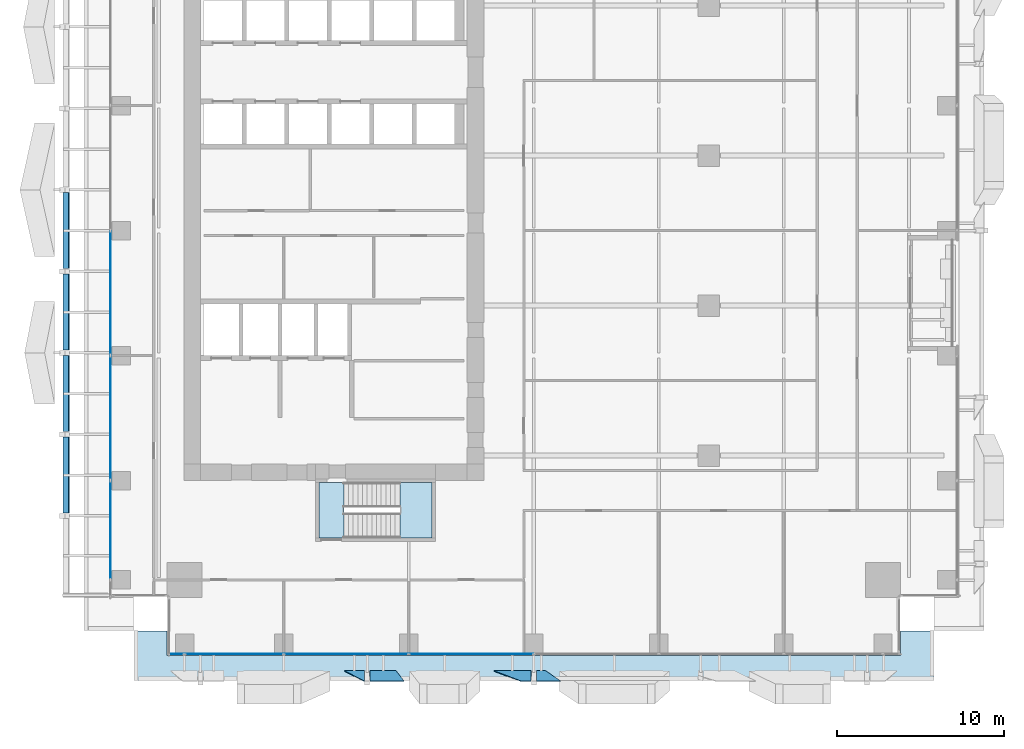
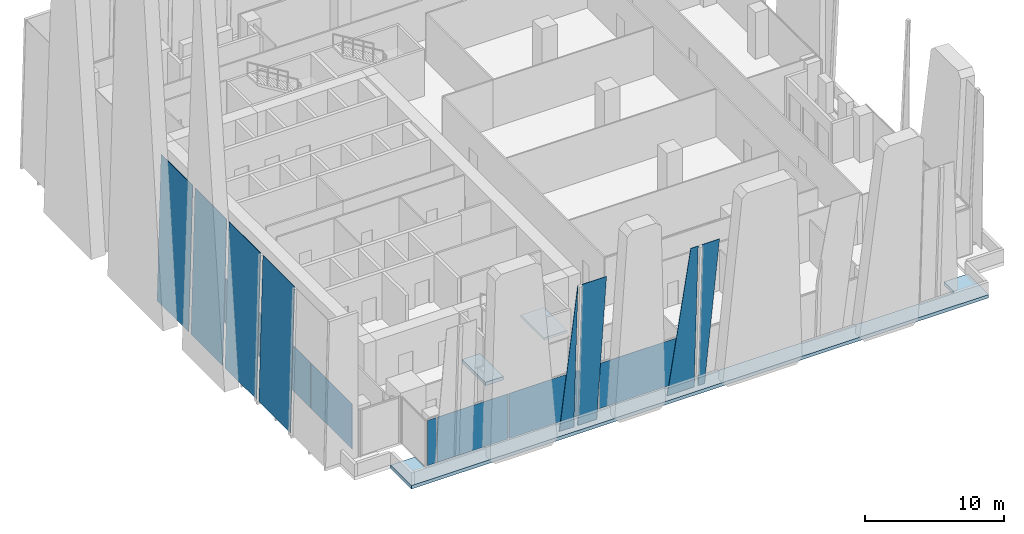
# One storey, part 21 of 37: 15 plates, 3 slabs, 3 elements without a shape of their own.
"""IFC4 building model written with IfcOpenShell, lengths in metres."""

from ifc_helpers import new_model, si_unit, direction, frame, origin, origin_2d, place, context, subcontext, project, spatial, polyline, rectangle, outline, extrude, source, transform, mapped, material, layer, layer_set, type_object, element, aggregate, save


model = new_model("IFC4")

# Units and contexts
model_context = context("Model", 3, precision=1e-05, world=origin(), true_north=direction((0.0, 1.0)))
body_context = subcontext(model_context, "Body", "Model", "MODEL_VIEW")
ifc_project = project(units=[si_unit("LENGTHUNIT", "METRE"), si_unit("AREAUNIT", "SQUARE_METRE"), si_unit("VOLUMEUNIT", "CUBIC_METRE"), si_unit("PLANEANGLEUNIT", "RADIAN"), si_unit("MASSUNIT", "GRAM", prefix="KILO")], contexts=[model_context])

# Site, building, storey
site_placement = place(None, origin())
site = spatial("IfcSite", under=ifc_project, at=site_placement, CompositionType="ELEMENT")
building_placement = place(site_placement, origin())
building = spatial("IfcBuilding", under=site, at=building_placement, Name="Khomas Fold Tower", CompositionType="ELEMENT")
storey_placement = place(building_placement, frame((0.0, 0.0, 101.5)))
storey = spatial("IfcBuildingStorey", under=building, at=storey_placement, Name="L21", CompositionType="ELEMENT", Elevation=101.5)

# Plates
ifc_material_1 = material(Name="Clear laminated glass", Category="glass")
ifc_layer_1 = layer(ifc_material_1, 0.0400390625)
ifc_layer_set_1 = layer_set([ifc_layer_1], Name="Clear laminated glass")
plate_type_1 = type_object("IfcPlateType", Name="SK-Clear laminated glass leaf", PredefinedType="SHEET", material=ifc_layer_set_1)
plate_1_placement = place(storey_placement, frame((15.632080078125, 0.60009765625, 0.0), z_axis=(0.0, 0.998875266546, 0.047415207295), x_axis=(0.092066017046, -0.047213830421, 0.994632948741)))
element("IfcPlate", 1, at=plate_1_placement, inside=storey, type_object=plate_type_1, Name="OUTER SKIN glass L21 SG100-4", PredefinedType="SHEET", context=body_context, shape_type="SweptSolid", body=[
    extrude(outline(polyline([(0.0, 0.0), (12.81879915212194, -2.220446049250313e-16), (12.820439977132772, 0.017746572775944047), (0.11029490860480781, 1.1929100357747735), (0.0, 0.0)])), origin(), (0.0, 0.0, -1.0), 0.0400390625),
])
plate_2_placement = place(storey_placement, frame((18.73095703125, 0.60009765625, 0.0), z_axis=(0.0, 0.998875266546, 0.047415207295), x_axis=(-1.0, 0.0, 0.0)))
element("IfcPlate", 2, at=plate_2_placement, inside=storey, type_object=plate_type_1, Name="OUTER SKIN glass L21 SG101-6", PredefinedType="SHEET", context=body_context, shape_type="SweptSolid", body=[
    extrude(outline(polyline([(0.0, 0.0), (1.56103515625, 0.0), (1.56103515625, 12.764356498773964), (-0.47412109375, 12.764356498773964), (0.0, 0.0)])), origin(), (0.0, 0.0, -1.0), 0.0400390625),
])
plate_3_placement = place(storey_placement, frame((24.59765625, 0.60009765625, 0.0), z_axis=(0.0, 0.998875266546, 0.047415207295), x_axis=(0.125093134537, -0.047042761001, 0.991029104683)))
element("IfcPlate", 3, at=plate_3_placement, inside=storey, type_object=plate_type_1, Name="OUTER SKIN glass L21 SG102-7", PredefinedType="SHEET", context=body_context, shape_type="SweptSolid", body=[
    extrude(outline(polyline([(0.0, 0.0), (12.865414284756561, -4.440892098500626e-16), (12.943353171313923, 0.6181528438901365), (0.27926064995318645, 2.2148862086721834), (0.0, 0.0)])), origin(), (0.0, 0.0, -1.0), 0.0400390625),
])
plate_4_placement = place(storey_placement, frame((27.695556640625, 0.60009765625, 0.0), z_axis=(0.0, 0.998875266546, 0.047415207295), x_axis=(-1.0, 0.0, 0.0)))
element("IfcPlate", 4, at=plate_4_placement, inside=storey, type_object=plate_type_1, Name="OUTER SKIN glass L21 SG103-9", PredefinedType="SHEET", context=body_context, shape_type="SweptSolid", body=[
    extrude(outline(polyline([(0.0, 0.0), (0.525634765625, 0.0), (0.525634765625, 12.764356498773965), (-0.9033203125, 12.764356498773965), (0.0, 0.0)])), origin(), (0.0, 0.0, -1.0), 0.0400390625),
])
for number, where, z_axis, x_axis, name in (
    (5, (-1.239990234375, 10.058837890625, 0.0009765625), (-0.9996570913, 0.0, 0.026185870498), (0.0, 1.0, 0.0), "OUTER SKIN glass L21 W3"),
    (6, (-1.239990234375, 14.94775390625, 0.0009765625), (-0.9996570913, 0.0, 0.026185870498), (0.0, 1.0, 0.0), "OUTER SKIN glass L21 W5"),
    (7, (-1.239990234375, 19.836669921875, 0.0009765625), (-0.9996570913, 0.0, 0.026185870498), (0.0, 1.0, 0.0), "OUTER SKIN glass L21 W7"),
    (8, (-1.239990234375, 24.7255859375, 0.0009765625), (-0.9996570913, 0.0, 0.026185870498), (0.0, 1.0, 0.0), "OUTER SKIN glass L21 W9"),
):
    element("IfcPlate", number, at=place(storey_placement, frame(where, z_axis=z_axis, x_axis=x_axis)), inside=storey, type_object=plate_type_1, Name=name, PredefinedType="SHEET", context=body_context, shape_type="SweptSolid", body=[
        extrude(outline(polyline([(0.0, 0.0), (4.548828125, 0.0), (4.548828125, -12.754373585666377), (0.0, -12.754373585666377), (0.0, 0.0)])), origin(), (0.0, 0.0, -1.0), 0.0400390625),
    ])

# Slab
ifc_material_2 = material(Name="Concrete C40/50", Category="concrete")
ifc_layer_2 = layer(ifc_material_2, 0.300048828125)
ifc_layer_set_2 = layer_set([ifc_layer_2], Name="Concrete C40/50")
slab_type_1 = type_object("IfcSlabType", Name="RC roof slab 300", PredefinedType="ROOF", material=ifc_layer_set_2)
shared_shape_1 = source(origin(), body_context, "Body", "SweptSolid", [
    extrude(outline(polyline([(3.0, 0.0), (51.0, 0.0), (51.0, 2.9951171875), (49.0, 2.9951171875), (49.0, 1.5), (5.0, 1.5), (5.0, 2.9951171875), (3.0, 2.9951171875), (3.0, 0.0)])), origin(), (0.0, 0.0, 1.0), 0.300048828125),
])
slab_1_placement = place(storey_placement, frame((0.0, 0.0, -0.300048828125)))
element("IfcSlab", 9, at=slab_1_placement, inside=storey, type_object=slab_type_1, Name="Setback roof slab", PredefinedType="ROOF", context=body_context, shape_type="MappedRepresentation", body=[
    mapped(shared_shape_1, transform((0.0, 0.0, 0.0))),
])

# Curtain wall, plates
ifc_material_3 = material(Name="Aluminium framed double glazing", Category="aluminium")
curtain_wall_type = type_object("IfcCurtainWallType", Name="SK-Unitised clear-glass wall, growing floors CW1", PredefinedType="NOTDEFINED", material=ifc_material_3)
curtain_wall_1_placement = place(storey_placement, origin())
curtain_wall_1 = element("IfcCurtainWall", 10, at=curtain_wall_1_placement, inside=storey, type_object=curtain_wall_type, Name="CW1 run L21 00-0", PredefinedType="NOTDEFINED")
ifc_material_4 = material(Name="Clear double glazed unit")
ifc_layer_3 = layer(ifc_material_4, 0.031982421875)
ifc_layer_set_3 = layer_set([ifc_layer_3], Name="Clear double glazed unit")
plate_type_2 = type_object("IfcPlateType", Name="SK-Unitised clear-glass wall, growing floors glass panel CW1-P", PredefinedType="CURTAIN_PANEL", material=ifc_layer_set_3)
shared_shape_2 = source(origin(), body_context, "Body", "SweptSolid", [
    extrude(rectangle(XDim=0.760009765625, YDim=0.031982421875, at=origin_2d()), origin(), (0.0, 0.0, 1.0), 3.97998046875),
])
plate_5_placement = place(storey_placement, frame((5.639892578125, 1.60009765625, 0.0), z_axis=(0.0, 0.0, 1.0), x_axis=(1.0, 0.0, 0.0)))
plate_5 = element("IfcPlate", 11, at=plate_5_placement, type_object=plate_type_2, Name="CW1 glass panel 1", PredefinedType="CURTAIN_PANEL", context=body_context, shape_type="MappedRepresentation", body=[
    mapped(shared_shape_2, transform((0.0, 0.0, 0.0))),
])
shared_shape_3 = source(origin(), body_context, "Body", "SweptSolid", [
    extrude(rectangle(XDim=5.889892578125, YDim=0.031982421875, at=origin_2d()), origin(), (0.0, 0.0, 1.0), 3.97998046875),
])
plate_6_placement = place(storey_placement, frame((9.02490234375, 1.60009765625, 0.0), z_axis=(0.0, 0.0, 1.0), x_axis=(1.0, 0.0, 0.0)))
plate_6 = element("IfcPlate", 12, at=plate_6_placement, type_object=plate_type_2, Name="CW1 glass panel 2", PredefinedType="CURTAIN_PANEL", context=body_context, shape_type="MappedRepresentation", body=[
    mapped(shared_shape_3, transform((0.0, 0.0, 0.0))),
])

# Curtain wall, plate
curtain_wall_2_placement = place(storey_placement, origin())
curtain_wall_2 = element("IfcCurtainWall", 13, at=curtain_wall_2_placement, inside=storey, type_object=curtain_wall_type, Name="CW1 run L21 09-0", PredefinedType="NOTDEFINED")
plate_7_placement = place(storey_placement, frame((1.60009765625, 9.02490234375, 0.0), z_axis=(0.0, 0.0, 1.0), x_axis=(0.0, -1.0, 0.0)))
plate_7 = element("IfcPlate", 14, at=plate_7_placement, type_object=plate_type_2, Name="CW1 glass panel 7", PredefinedType="CURTAIN_PANEL", context=body_context, shape_type="MappedRepresentation", body=[
    mapped(shared_shape_3, transform((0.0, 0.0, 0.0))),
])

# Plate
shared_shape_4 = source(origin(), body_context, "Body", "SweptSolid", [
    extrude(rectangle(XDim=7.43994140625, YDim=0.031982421875, at=origin_2d()), origin(), (0.0, 0.0, 1.0), 3.97998046875),
])
plate_8_placement = place(storey_placement, frame((15.75, 1.60009765625, 0.0), z_axis=(0.0, 0.0, 1.0), x_axis=(1.0, 0.0, 0.0)))
plate_8 = element("IfcPlate", 15, at=plate_8_placement, type_object=plate_type_2, Name="CW1 glass panel 3", PredefinedType="CURTAIN_PANEL", context=body_context, shape_type="MappedRepresentation", body=[
    mapped(shared_shape_4, transform((0.0, 0.0, 0.0))),
])

plate_9_placement = place(storey_placement, frame((23.25, 1.60009765625, 0.0), z_axis=(0.0, 0.0, 1.0), x_axis=(1.0, 0.0, 0.0)))
plate_9 = element("IfcPlate", 16, at=plate_9_placement, type_object=plate_type_2, Name="CW1 glass panel 4", PredefinedType="CURTAIN_PANEL", context=body_context, shape_type="MappedRepresentation", body=[
    mapped(shared_shape_4, transform((0.0, 0.0, 0.0))),
])

aggregate(curtain_wall_1, [plate_5, plate_6, plate_8, plate_9])

plate_10_placement = place(storey_placement, frame((1.60009765625, 23.25, 0.0), z_axis=(0.0, 0.0, 1.0), x_axis=(0.0, -1.0, 0.0)))
plate_10 = element("IfcPlate", 17, at=plate_10_placement, type_object=plate_type_2, Name="CW1 glass panel 5", PredefinedType="CURTAIN_PANEL", context=body_context, shape_type="MappedRepresentation", body=[
    mapped(shared_shape_4, transform((0.0, 0.0, 0.0))),
])

plate_11_placement = place(storey_placement, frame((1.60009765625, 15.75, 0.0), z_axis=(0.0, 0.0, 1.0), x_axis=(0.0, -1.0, 0.0)))
plate_11 = element("IfcPlate", 18, at=plate_11_placement, type_object=plate_type_2, Name="CW1 glass panel 6", PredefinedType="CURTAIN_PANEL", context=body_context, shape_type="MappedRepresentation", body=[
    mapped(shared_shape_4, transform((0.0, 0.0, 0.0))),
])

aggregate(curtain_wall_2, [plate_10, plate_11, plate_7])

# Stair, slab
ifc_material_5 = material(Name="Concrete C40/50", Category="concrete")
stair_type = type_object("IfcStairType", Name="Stair ST2", PredefinedType="HALF_TURN_STAIR", material=ifc_material_5)
stair_placement = place(storey_placement, origin())
stair = element("IfcStair", 19, at=stair_placement, inside=storey, type_object=stair_type, Name="L21 ST2", PredefinedType="HALF_TURN_STAIR")
ifc_material_6 = material(Name="Concrete C40/50", Category="concrete")
ifc_layer_4 = layer(ifc_material_6, 0.199951171875)
ifc_layer_set_4 = layer_set([ifc_layer_4], Name="Concrete C40/50")
slab_type_2 = type_object("IfcSlabType", Name="Stair landing 200", PredefinedType="LANDING", material=ifc_layer_set_4)
shared_shape_5 = source(origin(), body_context, "Body", "SweptSolid", [
    extrude(outline(polyline([(18.9599609375, 8.550048828125), (20.89990234375, 8.550048828125), (20.89990234375, 11.89990234375), (18.9599609375, 11.89990234375), (18.9599609375, 8.550048828125)])), origin(), (0.0, 0.0, 1.0), 0.199951171875),
])
slab_2_placement = place(storey_placement, frame((0.0, 0.0, 2.0)))
slab_2 = element("IfcSlab", 20, at=slab_2_placement, type_object=slab_type_2, Name="ST2 landing 1", PredefinedType="LANDING", context=body_context, shape_type="MappedRepresentation", body=[
    mapped(shared_shape_5, transform((0.0, 0.0, 0.0))),
])
aggregate(stair, [slab_2])

# Slab
ifc_material_7 = material(Name="Concrete C40/50", Category="concrete")
ifc_layer_5 = layer(ifc_material_7, 0.300048828125)
ifc_layer_set_5 = layer_set([ifc_layer_5], Name="Concrete C40/50")
slab_type_3 = type_object("IfcSlabType", Name="Stair floor landing 300", PredefinedType="LANDING", material=ifc_layer_set_5)
shared_shape_6 = source(origin(), body_context, "Body", "SweptSolid", [
    extrude(outline(polyline([(15.60009765625, 8.550048828125), (14.10009765625, 8.550048828125), (14.10009765625, 11.89990234375), (15.60009765625, 11.89990234375), (15.60009765625, 8.550048828125)])), origin(), (0.0, 0.0, 1.0), 0.300048828125),
])
slab_3_placement = place(storey_placement, frame((0.0, 0.0, -0.300048828125)))
element("IfcSlab", 21, at=slab_3_placement, inside=storey, type_object=slab_type_3, Name="ST2 floor landing", PredefinedType="LANDING", context=body_context, shape_type="MappedRepresentation", body=[
    mapped(shared_shape_6, transform((0.0, 0.0, 0.0))),
])

save(model, "model.ifc")
